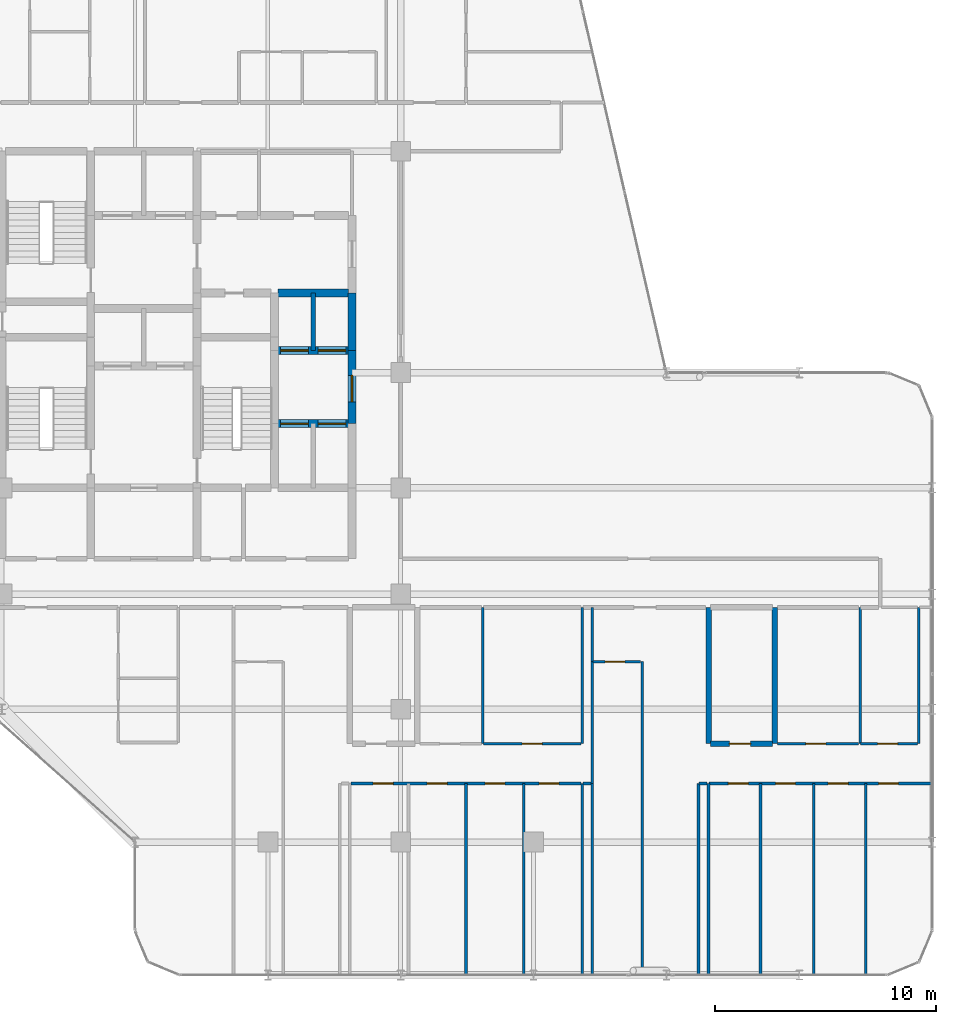
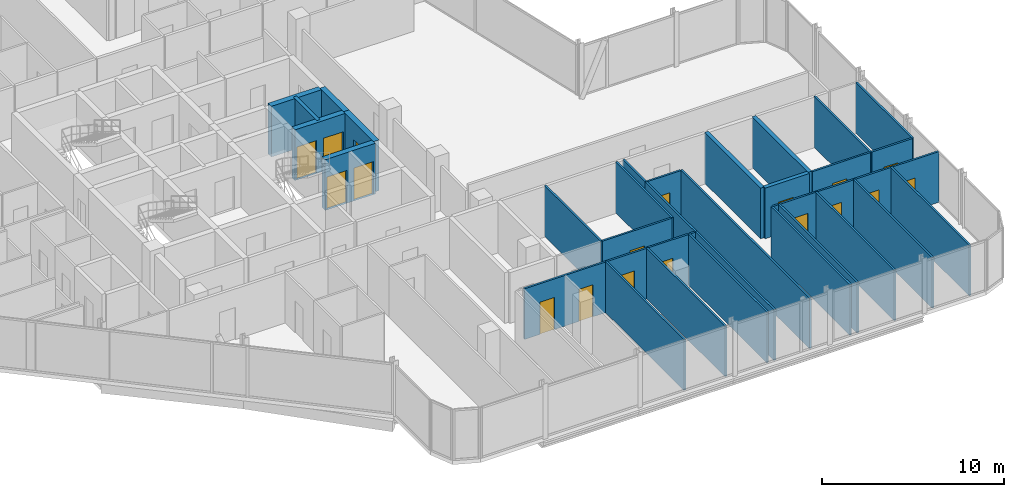
# One storey, part 25 of 29: 33 walls, 18 doors, 18 openings.
"""IFC4 building model written with IfcOpenShell, lengths in metres."""

from ifc_helpers import new_model, si_unit, direction, frame, frame_2d, origin, place, context, subcontext, project, spatial, rectangle, extrude, material, layer, layer_set, type_object, element, fill, save


model = new_model("IFC4")

# Units and contexts
model_context = context("Model", 3, precision=1e-05, world=origin(), true_north=direction((0.0, 1.0)))
body_context = subcontext(model_context, "Body", "Model", "MODEL_VIEW")
ifc_project = project(units=[si_unit("LENGTHUNIT", "METRE"), si_unit("AREAUNIT", "SQUARE_METRE"), si_unit("VOLUMEUNIT", "CUBIC_METRE"), si_unit("PLANEANGLEUNIT", "RADIAN"), si_unit("MASSUNIT", "GRAM", prefix="KILO")], contexts=[model_context])

# Site, building, storey
site_placement = place(None, origin())
site = spatial("IfcSite", under=ifc_project, at=site_placement, CompositionType="ELEMENT")
building_placement = place(site_placement, origin())
building = spatial("IfcBuilding", under=site, at=building_placement, Name="Keshet Zoharim Tower", CompositionType="ELEMENT")
storey_placement = place(building_placement, frame((0.0, 0.0, 176.5)))
storey = spatial("IfcBuildingStorey", under=building, at=storey_placement, Name="L43", CompositionType="ELEMENT", Elevation=176.5)

# Wall, opening, door
ifc_material_1 = material(Name="Concrete C60/75", Category="concrete")
ifc_layer_1 = layer(ifc_material_1, 0.35009765625)
ifc_layer_set_1 = layer_set([ifc_layer_1], Name="Concrete C60/75")
wall_type_1 = type_object("IfcWallType", Name="WL-CORE-350", PredefinedType="SHEAR", material=ifc_layer_set_1)
wall_1_placement = place(storey_placement, frame((30.800048828125, 25.60009765625, 0.0), z_axis=(0.0, 0.0, 1.0), x_axis=(0.0, 1.0, 0.0)))
wall_1 = element("IfcWall", 1, at=wall_1_placement, inside=storey, type_object=wall_type_1, Name="L43 Core Shear Wall 061", PredefinedType="SHEAR", context=body_context, shape_type="SweptSolid", body=[
    extrude(rectangle(XDim=3.2998046875, YDim=0.35009765625, at=frame_2d((1.64990234375, 0.0))), origin(), (0.0, 0.0, 1.0), 3.389892578125),
])
opening_1_placement = place(wall_1_placement, frame((0.97802734375, 0.0, 0.0)))
opening_1 = element("IfcOpeningElement", 2, at=opening_1_placement, cuts=wall_1, Name="Opening D-F612", PredefinedType="OPENING", context=body_context, shape_type="SweptSolid", body=[
    extrude(rectangle(XDim=1.199951171875, YDim=2.199951171875, at=frame_2d((0.60009765625, 1.10009765625))), frame((0.0, 0.18505859375, 0.0), z_axis=(0.0, -1.0, 0.0), x_axis=(1.0, 0.0, 0.0)), (0.0, 0.0, 1.0), 0.3701171875),
])
ifc_material_2 = material(Name="Hardwood Timber", Category="wood")
door_type_1 = type_object("IfcDoorType", Name="DR-FD60-120", OperationType="NOTDEFINED", PredefinedType="DOOR", material=ifc_material_2)
door_1_placement = place(opening_1_placement, origin())
door_1 = element("IfcDoor", 3, at=door_1_placement, inside=storey, type_object=door_type_1, Name="L43 East Lift Lobby Fire Door", OperationType="SINGLE_SWING_RIGHT", OverallHeight=2.199951171875, OverallWidth=1.199951171875, PredefinedType="DOOR", context=body_context, shape_type="SweptSolid", body=[
    extrude(rectangle(XDim=1.199951171875, YDim=2.199951171875, at=frame_2d((0.60009765625, 1.10009765625))), frame((0.0, 0.02490234375, 0.0), z_axis=(0.0, -1.0, 0.0), x_axis=(1.0, 0.0, 0.0)), (0.0, 0.0, 1.0), 0.050048828125),
])
fill(opening_1, door_1)

# Wall
wall_2_placement = place(storey_placement, frame((30.800048828125, 28.89990234375, 0.0), z_axis=(0.0, 0.0, 1.0), x_axis=(0.0, 1.0, 0.0)))
element("IfcWall", 4, at=wall_2_placement, inside=storey, type_object=wall_type_1, Name="L43 Core Shear Wall 062", PredefinedType="SHEAR", context=body_context, shape_type="SweptSolid", body=[
    extrude(rectangle(XDim=2.60009765625, YDim=0.35009765625, at=frame_2d((1.300048828125, 0.0))), origin(), (0.0, 0.0, 1.0), 3.389892578125),
])

# Wall, openings, doors
wall_3_placement = place(storey_placement, frame((27.4599609375, 25.60009765625, 0.0), z_axis=(0.0, 0.0, 1.0), x_axis=(1.0, 0.0, 0.0)))
wall_3 = element("IfcWall", 5, at=wall_3_placement, inside=storey, type_object=wall_type_1, Name="L43 Core Shear Wall 138", PredefinedType="SHEAR", context=body_context, shape_type="SweptSolid", body=[
    extrude(rectangle(XDim=3.179931640625, YDim=0.35009765625, at=frame_2d((1.58984375, 0.0))), origin(), (0.0, 0.0, 1.0), 3.389892578125),
])
opening_2_placement = place(wall_3_placement, frame((0.1201171875, 0.0, 0.0)))
opening_2 = element("IfcOpeningElement", 6, at=opening_2_placement, cuts=wall_3, Name="Opening LD-01", PredefinedType="OPENING", context=body_context, shape_type="SweptSolid", body=[
    extrude(rectangle(XDim=1.25, YDim=2.199951171875, at=frame_2d((0.625, 1.10009765625))), frame((0.0, 0.18505859375, 0.0), z_axis=(0.0, -1.0, 0.0), x_axis=(1.0, 0.0, 0.0)), (0.0, 0.0, 1.0), 0.3701171875),
])
opening_3_placement = place(wall_3_placement, frame((1.81005859375, 0.0, 0.0)))
opening_3 = element("IfcOpeningElement", 7, at=opening_3_placement, cuts=wall_3, Name="Opening LD-01", PredefinedType="OPENING", context=body_context, shape_type="SweptSolid", body=[
    extrude(rectangle(XDim=1.25, YDim=2.199951171875, at=frame_2d((0.625, 1.10009765625))), frame((0.0, 0.18505859375, 0.0), z_axis=(0.0, -1.0, 0.0), x_axis=(1.0, 0.0, 0.0)), (0.0, 0.0, 1.0), 0.3701171875),
])
ifc_material_3 = material(Name="Steel S355", Category="steel")
door_type_2 = type_object("IfcDoorType", Name="DR-LD01-125", OperationType="DOUBLE_DOOR_SLIDING", PredefinedType="DOOR", material=ifc_material_3)
door_2_placement = place(opening_2_placement, origin())
door_2 = element("IfcDoor", 8, at=door_2_placement, inside=storey, type_object=door_type_2, Name="L43 Passenger Lift Landing Door LF-07", OperationType="DOUBLE_DOOR_SLIDING", OverallHeight=2.199951171875, OverallWidth=1.25, PredefinedType="DOOR", context=body_context, shape_type="SweptSolid", body=[
    extrude(rectangle(XDim=1.25, YDim=2.199951171875, at=frame_2d((0.625, 1.10009765625))), frame((0.0, 0.02490234375, 0.0), z_axis=(0.0, -1.0, 0.0), x_axis=(1.0, 0.0, 0.0)), (0.0, 0.0, 1.0), 0.050048828125),
])
fill(opening_2, door_2)
door_3_placement = place(opening_3_placement, origin())
door_3 = element("IfcDoor", 9, at=door_3_placement, inside=storey, type_object=door_type_2, Name="L43 Passenger Lift Landing Door LF-08", OperationType="DOUBLE_DOOR_SLIDING", OverallHeight=2.199951171875, OverallWidth=1.25, PredefinedType="DOOR", context=body_context, shape_type="SweptSolid", body=[
    extrude(rectangle(XDim=1.25, YDim=2.199951171875, at=frame_2d((0.625, 1.10009765625))), frame((0.0, 0.02490234375, 0.0), z_axis=(0.0, -1.0, 0.0), x_axis=(1.0, 0.0, 0.0)), (0.0, 0.0, 1.0), 0.050048828125),
])
fill(opening_3, door_3)

wall_4_placement = place(storey_placement, frame((27.4599609375, 28.89990234375, 0.0), z_axis=(0.0, 0.0, 1.0), x_axis=(1.0, 0.0, 0.0)))
wall_4 = element("IfcWall", 10, at=wall_4_placement, inside=storey, type_object=wall_type_1, Name="L43 Core Shear Wall 146", PredefinedType="SHEAR", context=body_context, shape_type="SweptSolid", body=[
    extrude(rectangle(XDim=3.179931640625, YDim=0.35009765625, at=frame_2d((1.58984375, 0.0))), origin(), (0.0, 0.0, 1.0), 3.389892578125),
])
opening_4_placement = place(wall_4_placement, frame((0.1201171875, 0.0, 0.0)))
opening_4 = element("IfcOpeningElement", 11, at=opening_4_placement, cuts=wall_4, Name="Opening LD-01", PredefinedType="OPENING", context=body_context, shape_type="SweptSolid", body=[
    extrude(rectangle(XDim=1.25, YDim=2.199951171875, at=frame_2d((0.625, 1.10009765625))), frame((0.0, 0.18505859375, 0.0), z_axis=(0.0, -1.0, 0.0), x_axis=(1.0, 0.0, 0.0)), (0.0, 0.0, 1.0), 0.3701171875),
])
opening_5_placement = place(wall_4_placement, frame((1.81005859375, 0.0, 0.0)))
opening_5 = element("IfcOpeningElement", 12, at=opening_5_placement, cuts=wall_4, Name="Opening LD-01", PredefinedType="OPENING", context=body_context, shape_type="SweptSolid", body=[
    extrude(rectangle(XDim=1.25, YDim=2.199951171875, at=frame_2d((0.625, 1.10009765625))), frame((0.0, 0.18505859375, 0.0), z_axis=(0.0, -1.0, 0.0), x_axis=(1.0, 0.0, 0.0)), (0.0, 0.0, 1.0), 0.3701171875),
])
door_4_placement = place(opening_4_placement, origin())
door_4 = element("IfcDoor", 13, at=door_4_placement, inside=storey, type_object=door_type_2, Name="L43 Passenger Lift Landing Door LF-05", OperationType="DOUBLE_DOOR_SLIDING", OverallHeight=2.199951171875, OverallWidth=1.25, PredefinedType="DOOR", context=body_context, shape_type="SweptSolid", body=[
    extrude(rectangle(XDim=1.25, YDim=2.199951171875, at=frame_2d((0.625, 1.10009765625))), frame((0.0, 0.02490234375, 0.0), z_axis=(0.0, -1.0, 0.0), x_axis=(1.0, 0.0, 0.0)), (0.0, 0.0, 1.0), 0.050048828125),
])
fill(opening_4, door_4)
door_5_placement = place(opening_5_placement, origin())
door_5 = element("IfcDoor", 14, at=door_5_placement, inside=storey, type_object=door_type_2, Name="L43 Passenger Lift Landing Door LF-06", OperationType="DOUBLE_DOOR_SLIDING", OverallHeight=2.199951171875, OverallWidth=1.25, PredefinedType="DOOR", context=body_context, shape_type="SweptSolid", body=[
    extrude(rectangle(XDim=1.25, YDim=2.199951171875, at=frame_2d((0.625, 1.10009765625))), frame((0.0, 0.02490234375, 0.0), z_axis=(0.0, -1.0, 0.0), x_axis=(1.0, 0.0, 0.0)), (0.0, 0.0, 1.0), 0.050048828125),
])
fill(opening_5, door_5)

# Walls
wall_5_placement = place(storey_placement, frame((27.4599609375, 31.5, 0.0), z_axis=(0.0, 0.0, 1.0), x_axis=(1.0, 0.0, 0.0)))
element("IfcWall", 15, at=wall_5_placement, inside=storey, type_object=wall_type_1, Name="L43 Core Shear Wall 154", PredefinedType="SHEAR", context=body_context, shape_type="SweptSolid", body=[
    extrude(rectangle(XDim=3.179931640625, YDim=0.35009765625, at=frame_2d((1.58984375, 0.0))), origin(), (0.0, 0.0, 1.0), 3.389892578125),
])
ifc_material_4 = material(Name="Concrete C50/60", Category="concrete")
ifc_layer_2 = layer(ifc_material_4, 0.199951171875)
ifc_layer_set_2 = layer_set([ifc_layer_2], Name="Concrete C50/60")
wall_type_2 = type_object("IfcWallType", Name="WL-FIRE-200", PredefinedType="STANDARD", material=ifc_layer_set_2)
wall_6_placement = place(storey_placement, frame((29.050048828125, 28.89990234375, 0.0), z_axis=(0.0, 0.0, 1.0), x_axis=(0.0, 1.0, 0.0)))
element("IfcWall", 16, at=wall_6_placement, inside=storey, type_object=wall_type_2, Name="L43 Interior Wall 055", PredefinedType="STANDARD", context=body_context, shape_type="SweptSolid", body=[
    extrude(rectangle(XDim=2.60009765625, YDim=0.199951171875, at=frame_2d((1.300048828125, 0.0))), origin(), (0.0, 0.0, 1.0), 3.389892578125),
])
ifc_layer_3 = layer(ifc_material_4, 0.25)
ifc_layer_set_3 = layer_set([ifc_layer_3], Name="Concrete C50/60")
wall_type_3 = type_object("IfcWallType", Name="WL-MAMAD-250", PredefinedType="STANDARD", material=ifc_layer_set_3)
for number, where, z_axis, x_axis, name in (
    (17, (46.89990234375, 11.14990234375, 0.0), (0.0, 0.0, 1.0), (0.0, 1.0, 0.0), "L43 Interior Wall 086"),
    (18, (49.89990234375, 11.14990234375, 0.0), (0.0, 0.0, 1.0), (0.0, 1.0, 0.0), "L43 Interior Wall 088"),
):
    element("IfcWall", number, at=place(storey_placement, frame(where, z_axis=z_axis, x_axis=x_axis)), inside=storey, type_object=wall_type_3, Name=name, PredefinedType="STANDARD", context=body_context, shape_type="SweptSolid", body=[
        extrude(rectangle(XDim=6.150146484375, YDim=0.25, at=frame_2d((3.0751953125, 0.0))), origin(), (0.0, 0.0, 1.0), 3.389892578125),
    ])

# Wall, opening, door
wall_7_placement = place(storey_placement, frame((46.989990234375, 11.14990234375, 0.0), z_axis=(0.0, 0.0, 1.0), x_axis=(1.0, 0.0, 0.0)))
wall_7 = element("IfcWall", 19, at=wall_7_placement, inside=storey, type_object=wall_type_3, Name="L43 Interior Wall 102", PredefinedType="STANDARD", context=body_context, shape_type="SweptSolid", body=[
    extrude(rectangle(XDim=2.803955078125, YDim=0.25, at=frame_2d((1.40185546875, 0.0))), origin(), (0.0, 0.0, 1.0), 3.389892578125),
])
opening_6_placement = place(wall_7_placement, frame((0.85595703125, 0.0, 0.0)))
opening_6 = element("IfcOpeningElement", 20, at=opening_6_placement, cuts=wall_7, Name="Opening D-F695", PredefinedType="OPENING", context=body_context, shape_type="SweptSolid", body=[
    extrude(rectangle(XDim=0.949951171875, YDim=2.14990234375, at=frame_2d((0.47509765625, 1.074951171875))), frame((0.0, 0.135009765625, 0.0), z_axis=(0.0, -1.0, 0.0), x_axis=(1.0, 0.0, 0.0)), (0.0, 0.0, 1.0), 0.27001953125),
])
door_type_3 = type_object("IfcDoorType", Name="DR-FD60-095", OperationType="NOTDEFINED", PredefinedType="DOOR", material=ifc_material_2)
door_6_placement = place(opening_6_placement, origin())
door_6 = element("IfcDoor", 21, at=door_6_placement, inside=storey, type_object=door_type_3, Name="Apartment 4303 Study and Shelter Room Door", OperationType="SINGLE_SWING_RIGHT", OverallHeight=2.14990234375, OverallWidth=0.949951171875, PredefinedType="DOOR", context=body_context, shape_type="SweptSolid", body=[
    extrude(rectangle(XDim=0.949951171875, YDim=2.14990234375, at=frame_2d((0.47509765625, 1.074951171875))), frame((0.0, 0.02490234375, 0.0), z_axis=(0.0, -1.0, 0.0), x_axis=(1.0, 0.0, 0.0)), (0.0, 0.0, 1.0), 0.050048828125),
])
fill(opening_6, door_6)

# Walls
ifc_material_5 = material(Name="Gypsum Plasterboard", Category="gypsum")
ifc_layer_4 = layer(ifc_material_5, 0.1201171875)
ifc_layer_set_4 = layer_set([ifc_layer_4], Name="Gypsum Plasterboard")
wall_type_4 = type_object("IfcWallType", Name="WL-PART-120", PredefinedType="PARTITIONING", material=ifc_layer_set_4)
for number, where, z_axis, x_axis, name in (
    (22, (35.949951171875, 0.7099609375, 0.0), (0.0, 0.0, 1.0), (0.0, 1.0, 0.0), "L43 Interior Wall 071"),
    (23, (38.550048828125, 0.7099609375, 0.0), (0.0, 0.0, 1.0), (0.0, 1.0, 0.0), "L43 Interior Wall 076"),
    (24, (41.199951171875, 0.7099609375, 0.0), (0.0, 0.0, 1.0), (0.0, 1.0, 0.0), "L43 Interior Wall 078"),
):
    element("IfcWall", number, at=place(storey_placement, frame(where, z_axis=z_axis, x_axis=x_axis)), inside=storey, type_object=wall_type_4, Name=name, PredefinedType="PARTITIONING", context=body_context, shape_type="SweptSolid", body=[
        extrude(rectangle(XDim=8.64013671875, YDim=0.1201171875, at=frame_2d((4.320068359375, 0.0))), origin(), (0.0, 0.0, 1.0), 3.389892578125),
    ])
wall_8_placement = place(storey_placement, frame((41.199951171875, 11.14990234375, 0.0), z_axis=(0.0, 0.0, 1.0), x_axis=(0.0, 1.0, 0.0)))
element("IfcWall", 25, at=wall_8_placement, inside=storey, type_object=wall_type_4, Name="L43 Interior Wall 079", PredefinedType="PARTITIONING", context=body_context, shape_type="SweptSolid", body=[
    extrude(rectangle(XDim=6.150146484375, YDim=0.1201171875, at=frame_2d((3.0751953125, 0.0))), origin(), (0.0, 0.0, 1.0), 3.389892578125),
])
wall_9_placement = place(storey_placement, frame((41.64990234375, 0.7099609375, 0.0), z_axis=(0.0, 0.0, 1.0), x_axis=(0.0, 1.0, 0.0)))
element("IfcWall", 26, at=wall_9_placement, inside=storey, type_object=wall_type_4, Name="L43 Interior Wall 080", PredefinedType="PARTITIONING", context=body_context, shape_type="SweptSolid", body=[
    extrude(rectangle(XDim=8.64013671875, YDim=0.1201171875, at=frame_2d((4.320068359375, 0.0))), origin(), (0.0, 0.0, 1.0), 3.389892578125),
])
wall_10_placement = place(storey_placement, frame((41.64990234375, 9.35009765625, 0.0), z_axis=(0.0, 0.0, 1.0), x_axis=(0.0, 1.0, 0.0)))
element("IfcWall", 27, at=wall_10_placement, inside=storey, type_object=wall_type_4, Name="L43 Interior Wall 081", PredefinedType="PARTITIONING", context=body_context, shape_type="SweptSolid", body=[
    extrude(rectangle(XDim=5.5, YDim=0.1201171875, at=frame_2d((2.75, 0.0))), origin(), (0.0, 0.0, 1.0), 3.389892578125),
])
wall_11_placement = place(storey_placement, frame((41.64990234375, 14.85009765625, 0.0), z_axis=(0.0, 0.0, 1.0), x_axis=(0.0, 1.0, 0.0)))
element("IfcWall", 28, at=wall_11_placement, inside=storey, type_object=wall_type_4, Name="L43 Interior Wall 082", PredefinedType="PARTITIONING", context=body_context, shape_type="SweptSolid", body=[
    extrude(rectangle(XDim=2.449951171875, YDim=0.1201171875, at=frame_2d((1.22509765625, 0.0))), origin(), (0.0, 0.0, 1.0), 3.389892578125),
])
wall_12_placement = place(storey_placement, frame((43.89990234375, 0.7099609375, 0.0), z_axis=(0.0, 0.0, 1.0), x_axis=(0.0, 1.0, 0.0)))
element("IfcWall", 29, at=wall_12_placement, inside=storey, type_object=wall_type_4, Name="L43 Interior Wall 083", PredefinedType="PARTITIONING", context=body_context, shape_type="SweptSolid", body=[
    extrude(rectangle(XDim=14.14013671875, YDim=0.1201171875, at=frame_2d((7.070068359375, 0.0))), origin(), (0.0, 0.0, 1.0), 3.389892578125),
])
for number, where, z_axis, x_axis, name in (
    (30, (46.449951171875, 0.7099609375, 0.0), (0.0, 0.0, 1.0), (0.0, 1.0, 0.0), "L43 Interior Wall 084"),
    (31, (46.89990234375, 0.7099609375, 0.0), (0.0, 0.0, 1.0), (0.0, 1.0, 0.0), "L43 Interior Wall 085"),
    (32, (49.25, 0.7099609375, 0.0), (0.0, 0.0, 1.0), (0.0, 1.0, 0.0), "L43 Interior Wall 087"),
    (33, (51.64990234375, 0.7099609375, 0.0), (0.0, 0.0, 1.0), (0.0, 1.0, 0.0), "L43 Interior Wall 089"),
    (34, (54.0, 0.7099609375, 0.0), (0.0, 0.0, 1.0), (0.0, 1.0, 0.0), "L43 Interior Wall 091"),
):
    element("IfcWall", number, at=place(storey_placement, frame(where, z_axis=z_axis, x_axis=x_axis)), inside=storey, type_object=wall_type_4, Name=name, PredefinedType="PARTITIONING", context=body_context, shape_type="SweptSolid", body=[
        extrude(rectangle(XDim=8.64013671875, YDim=0.1201171875, at=frame_2d((4.320068359375, 0.0))), origin(), (0.0, 0.0, 1.0), 3.389892578125),
    ])

# Wall, openings, doors
wall_13_placement = place(storey_placement, frame((30.764892578125, 9.35009765625, 0.0), z_axis=(0.0, 0.0, 1.0), x_axis=(1.0, 0.0, 0.0)))
wall_13 = element("IfcWall", 35, at=wall_13_placement, inside=storey, type_object=wall_type_4, Name="L43 Interior Wall 095", PredefinedType="PARTITIONING", context=body_context, shape_type="SweptSolid", body=[
    extrude(rectangle(XDim=10.3701171875, YDim=0.1201171875, at=frame_2d((5.18505859375, 0.0))), origin(), (0.0, 0.0, 1.0), 3.389892578125),
])
opening_7_placement = place(wall_13_placement, frame((0.988037109375, 0.0, 0.0)))
opening_7 = element("IfcOpeningElement", 36, at=opening_7_placement, cuts=wall_13, Name="Opening D-IN90", PredefinedType="OPENING", context=body_context, shape_type="SweptSolid", body=[
    extrude(rectangle(XDim=0.89990234375, YDim=2.14990234375, at=frame_2d((0.449951171875, 1.074951171875))), frame((0.0, 0.070068359375, 0.0), z_axis=(0.0, -1.0, 0.0), x_axis=(1.0, 0.0, 0.0)), (0.0, 0.0, 1.0), 0.14013671875),
])
opening_8_placement = place(wall_13_placement, frame((3.427978515625, 0.0, 0.0)))
opening_8 = element("IfcOpeningElement", 37, at=opening_8_placement, cuts=wall_13, Name="Opening D-IN90", PredefinedType="OPENING", context=body_context, shape_type="SweptSolid", body=[
    extrude(rectangle(XDim=0.89990234375, YDim=2.14990234375, at=frame_2d((0.449951171875, 1.074951171875))), frame((0.0, 0.070068359375, 0.0), z_axis=(0.0, -1.0, 0.0), x_axis=(1.0, 0.0, 0.0)), (0.0, 0.0, 1.0), 0.14013671875),
])
opening_9_placement = place(wall_13_placement, frame((6.04296875, 0.0, 0.0)))
opening_9 = element("IfcOpeningElement", 38, at=opening_9_placement, cuts=wall_13, Name="Opening D-IN90", PredefinedType="OPENING", context=body_context, shape_type="SweptSolid", body=[
    extrude(rectangle(XDim=0.89990234375, YDim=2.14990234375, at=frame_2d((0.449951171875, 1.074951171875))), frame((0.0, 0.070068359375, 0.0), z_axis=(0.0, -1.0, 0.0), x_axis=(1.0, 0.0, 0.0)), (0.0, 0.0, 1.0), 0.14013671875),
])
opening_10_placement = place(wall_13_placement, frame((8.48193359375, 0.0, 0.0)))
opening_10 = element("IfcOpeningElement", 39, at=opening_10_placement, cuts=wall_13, Name="Opening D-IN90", PredefinedType="OPENING", context=body_context, shape_type="SweptSolid", body=[
    extrude(rectangle(XDim=0.89990234375, YDim=2.14990234375, at=frame_2d((0.449951171875, 1.074951171875))), frame((0.0, 0.070068359375, 0.0), z_axis=(0.0, -1.0, 0.0), x_axis=(1.0, 0.0, 0.0)), (0.0, 0.0, 1.0), 0.14013671875),
])
door_type_4 = type_object("IfcDoorType", Name="DR-INT-090", OperationType="NOTDEFINED", PredefinedType="DOOR", material=ifc_material_2)
door_7_placement = place(opening_7_placement, origin())
door_7 = element("IfcDoor", 40, at=door_7_placement, inside=storey, type_object=door_type_4, Name="Apartment 4302 Bedroom 1 Door", OperationType="SINGLE_SWING_LEFT", OverallHeight=2.14990234375, OverallWidth=0.89990234375, PredefinedType="DOOR", context=body_context, shape_type="SweptSolid", body=[
    extrude(rectangle(XDim=0.89990234375, YDim=2.14990234375, at=frame_2d((0.449951171875, 1.074951171875))), frame((0.0, 0.02490234375, 0.0), z_axis=(0.0, -1.0, 0.0), x_axis=(1.0, 0.0, 0.0)), (0.0, 0.0, 1.0), 0.050048828125),
])
fill(opening_7, door_7)
door_8_placement = place(opening_8_placement, origin())
door_8 = element("IfcDoor", 41, at=door_8_placement, inside=storey, type_object=door_type_4, Name="Apartment 4302 Bedroom 2 Door", OperationType="SINGLE_SWING_RIGHT", OverallHeight=2.14990234375, OverallWidth=0.89990234375, PredefinedType="DOOR", context=body_context, shape_type="SweptSolid", body=[
    extrude(rectangle(XDim=0.89990234375, YDim=2.14990234375, at=frame_2d((0.449951171875, 1.074951171875))), frame((0.0, 0.02490234375, 0.0), z_axis=(0.0, -1.0, 0.0), x_axis=(1.0, 0.0, 0.0)), (0.0, 0.0, 1.0), 0.050048828125),
])
fill(opening_8, door_8)
door_9_placement = place(opening_9_placement, origin())
door_9 = element("IfcDoor", 42, at=door_9_placement, inside=storey, type_object=door_type_4, Name="Apartment 4302 Bedroom 3 Door", OperationType="SINGLE_SWING_LEFT", OverallHeight=2.14990234375, OverallWidth=0.89990234375, PredefinedType="DOOR", context=body_context, shape_type="SweptSolid", body=[
    extrude(rectangle(XDim=0.89990234375, YDim=2.14990234375, at=frame_2d((0.449951171875, 1.074951171875))), frame((0.0, 0.02490234375, 0.0), z_axis=(0.0, -1.0, 0.0), x_axis=(1.0, 0.0, 0.0)), (0.0, 0.0, 1.0), 0.050048828125),
])
fill(opening_9, door_9)
door_10_placement = place(opening_10_placement, origin())
door_10 = element("IfcDoor", 43, at=door_10_placement, inside=storey, type_object=door_type_4, Name="Apartment 4302 Bedroom 4 Door", OperationType="SINGLE_SWING_RIGHT", OverallHeight=2.14990234375, OverallWidth=0.89990234375, PredefinedType="DOOR", context=body_context, shape_type="SweptSolid", body=[
    extrude(rectangle(XDim=0.89990234375, YDim=2.14990234375, at=frame_2d((0.449951171875, 1.074951171875))), frame((0.0, 0.02490234375, 0.0), z_axis=(0.0, -1.0, 0.0), x_axis=(1.0, 0.0, 0.0)), (0.0, 0.0, 1.0), 0.050048828125),
])
fill(opening_10, door_10)

# Walls
for number, where, z_axis, x_axis, name in (
    (44, (41.22509765625, 9.35009765625, 0.0), (0.0, 0.0, 1.0), (1.0, 0.0, 0.0), "L43 Interior Wall 096"),
    (45, (46.47509765625, 9.35009765625, 0.0), (0.0, 0.0, 1.0), (1.0, 0.0, 0.0), "L43 Interior Wall 097"),
):
    element("IfcWall", number, at=place(storey_placement, frame(where, z_axis=z_axis, x_axis=x_axis)), inside=storey, type_object=wall_type_4, Name=name, PredefinedType="PARTITIONING", context=body_context, shape_type="SweptSolid", body=[
        extrude(rectangle(XDim=0.35986328125, YDim=0.1201171875, at=frame_2d((0.179931640625, 0.0))), origin(), (0.0, 0.0, 1.0), 3.389892578125),
    ])

# Wall, openings, doors
wall_14_placement = place(storey_placement, frame((46.925048828125, 9.35009765625, 0.0), z_axis=(0.0, 0.0, 1.0), x_axis=(1.0, 0.0, 0.0)))
wall_14 = element("IfcWall", 46, at=wall_14_placement, inside=storey, type_object=wall_type_4, Name="L43 Interior Wall 098", PredefinedType="PARTITIONING", context=body_context, shape_type="SweptSolid", body=[
    extrude(rectangle(XDim=10.06494140625, YDim=0.1201171875, at=frame_2d((5.032470703125, 0.0))), origin(), (0.0, 0.0, 1.0), 3.389892578125),
])
opening_11_placement = place(wall_14_placement, frame((0.868896484375, 0.0, 0.0)))
opening_11 = element("IfcOpeningElement", 47, at=opening_11_placement, cuts=wall_14, Name="Opening D-IN90", PredefinedType="OPENING", context=body_context, shape_type="SweptSolid", body=[
    extrude(rectangle(XDim=0.89990234375, YDim=2.14990234375, at=frame_2d((0.449951171875, 1.074951171875))), frame((0.0, 0.070068359375, 0.0), z_axis=(0.0, -1.0, 0.0), x_axis=(1.0, 0.0, 0.0)), (0.0, 0.0, 1.0), 0.14013671875),
])
opening_12_placement = place(wall_14_placement, frame((3.0009765625, 0.0, 0.0)))
opening_12 = element("IfcOpeningElement", 48, at=opening_12_placement, cuts=wall_14, Name="Opening D-IN90", PredefinedType="OPENING", context=body_context, shape_type="SweptSolid", body=[
    extrude(rectangle(XDim=0.89990234375, YDim=2.14990234375, at=frame_2d((0.449951171875, 1.074951171875))), frame((0.0, 0.070068359375, 0.0), z_axis=(0.0, -1.0, 0.0), x_axis=(1.0, 0.0, 0.0)), (0.0, 0.0, 1.0), 0.14013671875),
])
opening_13_placement = place(wall_14_placement, frame((5.3779296875, 0.0, 0.0)))
opening_13 = element("IfcOpeningElement", 49, at=opening_13_placement, cuts=wall_14, Name="Opening D-IN90", PredefinedType="OPENING", context=body_context, shape_type="SweptSolid", body=[
    extrude(rectangle(XDim=0.89990234375, YDim=2.14990234375, at=frame_2d((0.449951171875, 1.074951171875))), frame((0.0, 0.070068359375, 0.0), z_axis=(0.0, -1.0, 0.0), x_axis=(1.0, 0.0, 0.0)), (0.0, 0.0, 1.0), 0.14013671875),
])
opening_14_placement = place(wall_14_placement, frame((7.65087890625, 0.0, 0.0)))
opening_14 = element("IfcOpeningElement", 50, at=opening_14_placement, cuts=wall_14, Name="Opening D-IN90", PredefinedType="OPENING", context=body_context, shape_type="SweptSolid", body=[
    extrude(rectangle(XDim=0.89990234375, YDim=2.14990234375, at=frame_2d((0.449951171875, 1.074951171875))), frame((0.0, 0.070068359375, 0.0), z_axis=(0.0, -1.0, 0.0), x_axis=(1.0, 0.0, 0.0)), (0.0, 0.0, 1.0), 0.14013671875),
])
door_11_placement = place(opening_11_placement, origin())
door_11 = element("IfcDoor", 51, at=door_11_placement, inside=storey, type_object=door_type_4, Name="Apartment 4303 Bedroom 1 Door", OperationType="SINGLE_SWING_LEFT", OverallHeight=2.14990234375, OverallWidth=0.89990234375, PredefinedType="DOOR", context=body_context, shape_type="SweptSolid", body=[
    extrude(rectangle(XDim=0.89990234375, YDim=2.14990234375, at=frame_2d((0.449951171875, 1.074951171875))), frame((0.0, 0.02490234375, 0.0), z_axis=(0.0, -1.0, 0.0), x_axis=(1.0, 0.0, 0.0)), (0.0, 0.0, 1.0), 0.050048828125),
])
fill(opening_11, door_11)
door_12_placement = place(opening_12_placement, origin())
door_12 = element("IfcDoor", 52, at=door_12_placement, inside=storey, type_object=door_type_4, Name="Apartment 4303 Bedroom 2 Door", OperationType="SINGLE_SWING_RIGHT", OverallHeight=2.14990234375, OverallWidth=0.89990234375, PredefinedType="DOOR", context=body_context, shape_type="SweptSolid", body=[
    extrude(rectangle(XDim=0.89990234375, YDim=2.14990234375, at=frame_2d((0.449951171875, 1.074951171875))), frame((0.0, 0.02490234375, 0.0), z_axis=(0.0, -1.0, 0.0), x_axis=(1.0, 0.0, 0.0)), (0.0, 0.0, 1.0), 0.050048828125),
])
fill(opening_12, door_12)
door_13_placement = place(opening_13_placement, origin())
door_13 = element("IfcDoor", 53, at=door_13_placement, inside=storey, type_object=door_type_4, Name="Apartment 4303 Bedroom 3 Door", OperationType="SINGLE_SWING_LEFT", OverallHeight=2.14990234375, OverallWidth=0.89990234375, PredefinedType="DOOR", context=body_context, shape_type="SweptSolid", body=[
    extrude(rectangle(XDim=0.89990234375, YDim=2.14990234375, at=frame_2d((0.449951171875, 1.074951171875))), frame((0.0, 0.02490234375, 0.0), z_axis=(0.0, -1.0, 0.0), x_axis=(1.0, 0.0, 0.0)), (0.0, 0.0, 1.0), 0.050048828125),
])
fill(opening_13, door_13)
door_14_placement = place(opening_14_placement, origin())
door_14 = element("IfcDoor", 54, at=door_14_placement, inside=storey, type_object=door_type_4, Name="Apartment 4303 Bedroom 4 Door", OperationType="SINGLE_SWING_RIGHT", OverallHeight=2.14990234375, OverallWidth=0.89990234375, PredefinedType="DOOR", context=body_context, shape_type="SweptSolid", body=[
    extrude(rectangle(XDim=0.89990234375, YDim=2.14990234375, at=frame_2d((0.449951171875, 1.074951171875))), frame((0.0, 0.02490234375, 0.0), z_axis=(0.0, -1.0, 0.0), x_axis=(1.0, 0.0, 0.0)), (0.0, 0.0, 1.0), 0.050048828125),
])
fill(opening_14, door_14)

# Wall, opening, door
wall_15_placement = place(storey_placement, frame((36.72705078125, 11.14990234375, 0.0), z_axis=(0.0, 0.0, 1.0), x_axis=(1.0, 0.0, 0.0)))
wall_15 = element("IfcWall", 55, at=wall_15_placement, inside=storey, type_object=wall_type_4, Name="L43 Interior Wall 101", PredefinedType="PARTITIONING", context=body_context, shape_type="SweptSolid", body=[
    extrude(rectangle(XDim=4.407958984375, YDim=0.1201171875, at=frame_2d((2.2041015625, 0.0))), origin(), (0.0, 0.0, 1.0), 3.389892578125),
])
opening_15_placement = place(wall_15_placement, frame((1.75390625, 0.0, 0.0)))
opening_15 = element("IfcOpeningElement", 56, at=opening_15_placement, cuts=wall_15, Name="Opening D-IN90", PredefinedType="OPENING", context=body_context, shape_type="SweptSolid", body=[
    extrude(rectangle(XDim=0.89990234375, YDim=2.14990234375, at=frame_2d((0.449951171875, 1.074951171875))), frame((0.0, 0.070068359375, 0.0), z_axis=(0.0, -1.0, 0.0), x_axis=(1.0, 0.0, 0.0)), (0.0, 0.0, 1.0), 0.14013671875),
])
door_15_placement = place(opening_15_placement, origin())
door_15 = element("IfcDoor", 57, at=door_15_placement, inside=storey, type_object=door_type_4, Name="Apartment 4302 Kitchen Door", OperationType="SINGLE_SWING_LEFT", OverallHeight=2.14990234375, OverallWidth=0.89990234375, PredefinedType="DOOR", context=body_context, shape_type="SweptSolid", body=[
    extrude(rectangle(XDim=0.89990234375, YDim=2.14990234375, at=frame_2d((0.449951171875, 1.074951171875))), frame((0.0, 0.02490234375, 0.0), z_axis=(0.0, -1.0, 0.0), x_axis=(1.0, 0.0, 0.0)), (0.0, 0.0, 1.0), 0.050048828125),
])
fill(opening_15, door_15)

wall_16_placement = place(storey_placement, frame((50.013916015625, 11.14990234375, 0.0), z_axis=(0.0, 0.0, 1.0), x_axis=(1.0, 0.0, 0.0)))
wall_16 = element("IfcWall", 58, at=wall_16_placement, inside=storey, type_object=wall_type_4, Name="L43 Interior Wall 103", PredefinedType="PARTITIONING", context=body_context, shape_type="SweptSolid", body=[
    extrude(rectangle(XDim=3.66796875, YDim=0.1201171875, at=frame_2d((1.833984375, 0.0))), origin(), (0.0, 0.0, 1.0), 3.389892578125),
])
opening_16_placement = place(wall_16_placement, frame((1.280029296875, 0.0, 0.0)))
opening_16 = element("IfcOpeningElement", 59, at=opening_16_placement, cuts=wall_16, Name="Opening D-IN90", PredefinedType="OPENING", context=body_context, shape_type="SweptSolid", body=[
    extrude(rectangle(XDim=0.89990234375, YDim=2.14990234375, at=frame_2d((0.449951171875, 1.074951171875))), frame((0.0, 0.070068359375, 0.0), z_axis=(0.0, -1.0, 0.0), x_axis=(1.0, 0.0, 0.0)), (0.0, 0.0, 1.0), 0.14013671875),
])
door_16_placement = place(opening_16_placement, origin())
door_16 = element("IfcDoor", 60, at=door_16_placement, inside=storey, type_object=door_type_4, Name="Apartment 4303 Kitchen Door", OperationType="SINGLE_SWING_LEFT", OverallHeight=2.14990234375, OverallWidth=0.89990234375, PredefinedType="DOOR", context=body_context, shape_type="SweptSolid", body=[
    extrude(rectangle(XDim=0.89990234375, YDim=2.14990234375, at=frame_2d((0.449951171875, 1.074951171875))), frame((0.0, 0.02490234375, 0.0), z_axis=(0.0, -1.0, 0.0), x_axis=(1.0, 0.0, 0.0)), (0.0, 0.0, 1.0), 0.050048828125),
])
fill(opening_16, door_16)

wall_17_placement = place(storey_placement, frame((41.675048828125, 14.85009765625, 0.0), z_axis=(0.0, 0.0, 1.0), x_axis=(1.0, 0.0, 0.0)))
wall_17 = element("IfcWall", 61, at=wall_17_placement, inside=storey, type_object=wall_type_4, Name="L43 Interior Wall 108", PredefinedType="PARTITIONING", context=body_context, shape_type="SweptSolid", body=[
    extrude(rectangle(XDim=2.159912109375, YDim=0.1201171875, at=frame_2d((1.080078125, 0.0))), origin(), (0.0, 0.0, 1.0), 3.389892578125),
])
opening_17_placement = place(wall_17_placement, frame((0.552978515625, 0.0, 0.0)))
opening_17 = element("IfcOpeningElement", 62, at=opening_17_placement, cuts=wall_17, Name="Opening D-IN90", PredefinedType="OPENING", context=body_context, shape_type="SweptSolid", body=[
    extrude(rectangle(XDim=0.89990234375, YDim=2.14990234375, at=frame_2d((0.449951171875, 1.074951171875))), frame((0.0, 0.070068359375, 0.0), z_axis=(0.0, -1.0, 0.0), x_axis=(1.0, 0.0, 0.0)), (0.0, 0.0, 1.0), 0.14013671875),
])
door_17_placement = place(opening_17_placement, origin())
door_17 = element("IfcDoor", 63, at=door_17_placement, inside=storey, type_object=door_type_4, Name="Apartment 4303 Formal Dining Room Door", OperationType="SINGLE_SWING_RIGHT", OverallHeight=2.14990234375, OverallWidth=0.89990234375, PredefinedType="DOOR", context=body_context, shape_type="SweptSolid", body=[
    extrude(rectangle(XDim=0.89990234375, YDim=2.14990234375, at=frame_2d((0.449951171875, 1.074951171875))), frame((0.0, 0.02490234375, 0.0), z_axis=(0.0, -1.0, 0.0), x_axis=(1.0, 0.0, 0.0)), (0.0, 0.0, 1.0), 0.050048828125),
])
fill(opening_17, door_17)

# Walls
ifc_layer_5 = layer(ifc_material_5, 0.1201171875)
ifc_layer_set_5 = layer_set([ifc_layer_5], Name="Gypsum Plasterboard")
wall_type_5 = type_object("IfcWallType", Name="WL-WET-120", PredefinedType="PARTITIONING", material=ifc_layer_set_5)
for number, where, z_axis, x_axis, name in (
    (64, (36.699951171875, 11.14990234375, 0.0), (0.0, 0.0, 1.0), (0.0, 1.0, 0.0), "L43 Interior Wall 075"),
    (65, (53.75, 11.14990234375, 0.0), (0.0, 0.0, 1.0), (0.0, 1.0, 0.0), "L43 Interior Wall 090"),
    (66, (56.39990234375, 11.14990234375, 0.0), (0.0, 0.0, 1.0), (0.0, 1.0, 0.0), "L43 Interior Wall 093"),
):
    element("IfcWall", number, at=place(storey_placement, frame(where, z_axis=z_axis, x_axis=x_axis)), inside=storey, type_object=wall_type_5, Name=name, PredefinedType="PARTITIONING", context=body_context, shape_type="SweptSolid", body=[
        extrude(rectangle(XDim=6.150146484375, YDim=0.1201171875, at=frame_2d((3.0751953125, 0.0))), origin(), (0.0, 0.0, 1.0), 3.389892578125),
    ])

# Wall, opening, door
wall_18_placement = place(storey_placement, frame((53.77197265625, 11.14990234375, 0.0), z_axis=(0.0, 0.0, 1.0), x_axis=(1.0, 0.0, 0.0)))
wall_18 = element("IfcWall", 67, at=wall_18_placement, inside=storey, type_object=wall_type_5, Name="L43 Interior Wall 104", PredefinedType="PARTITIONING", context=body_context, shape_type="SweptSolid", body=[
    extrude(rectangle(XDim=2.572998046875, YDim=0.1201171875, at=frame_2d((1.28662109375, 0.0))), origin(), (0.0, 0.0, 1.0), 3.389892578125),
])
opening_18_placement = place(wall_18_placement, frame((0.76611328125, 0.0, 0.0)))
opening_18 = element("IfcOpeningElement", 68, at=opening_18_placement, cuts=wall_18, Name="Opening D-WT90", PredefinedType="OPENING", context=body_context, shape_type="SweptSolid", body=[
    extrude(rectangle(XDim=0.89990234375, YDim=2.10009765625, at=frame_2d((0.449951171875, 1.050048828125))), frame((0.0, 0.070068359375, 0.0), z_axis=(0.0, -1.0, 0.0), x_axis=(1.0, 0.0, 0.0)), (0.0, 0.0, 1.0), 0.14013671875),
])
door_type_5 = type_object("IfcDoorType", Name="DR-WET-090", OperationType="NOTDEFINED", PredefinedType="DOOR", material=ifc_material_2)
door_18_placement = place(opening_18_placement, origin())
door_18 = element("IfcDoor", 69, at=door_18_placement, inside=storey, type_object=door_type_5, Name="Apartment 4303 Bathroom Door", OperationType="SINGLE_SWING_RIGHT", OverallHeight=2.10009765625, OverallWidth=0.89990234375, PredefinedType="DOOR", context=body_context, shape_type="SweptSolid", body=[
    extrude(rectangle(XDim=0.89990234375, YDim=2.10009765625, at=frame_2d((0.449951171875, 1.050048828125))), frame((0.0, 0.02490234375, 0.0), z_axis=(0.0, -1.0, 0.0), x_axis=(1.0, 0.0, 0.0)), (0.0, 0.0, 1.0), 0.050048828125),
])
fill(opening_18, door_18)

save(model, "model.ifc")
